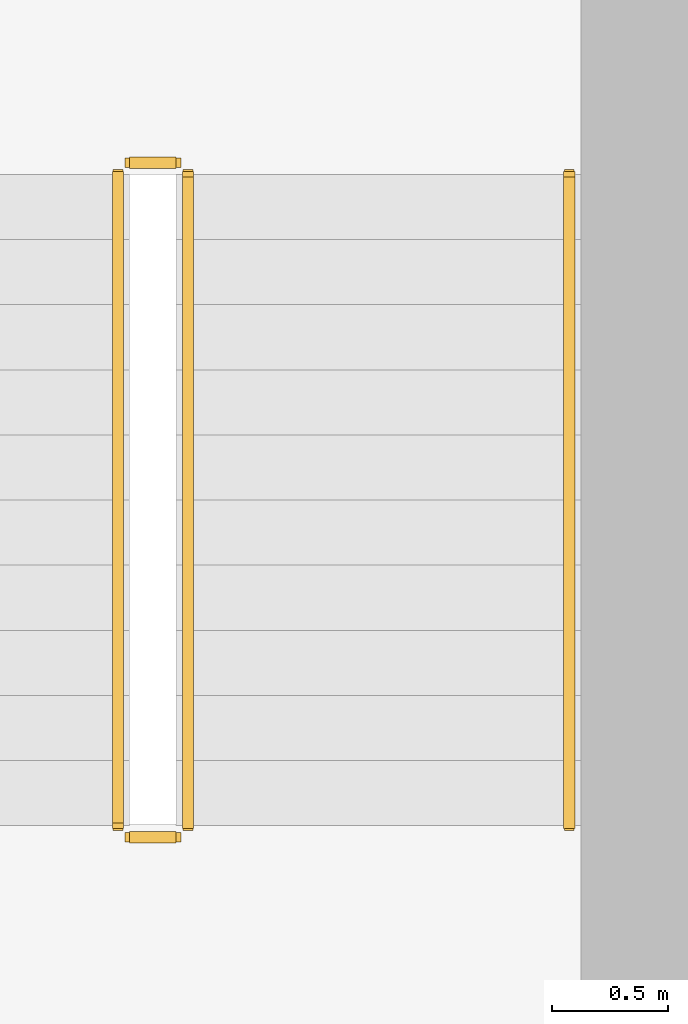
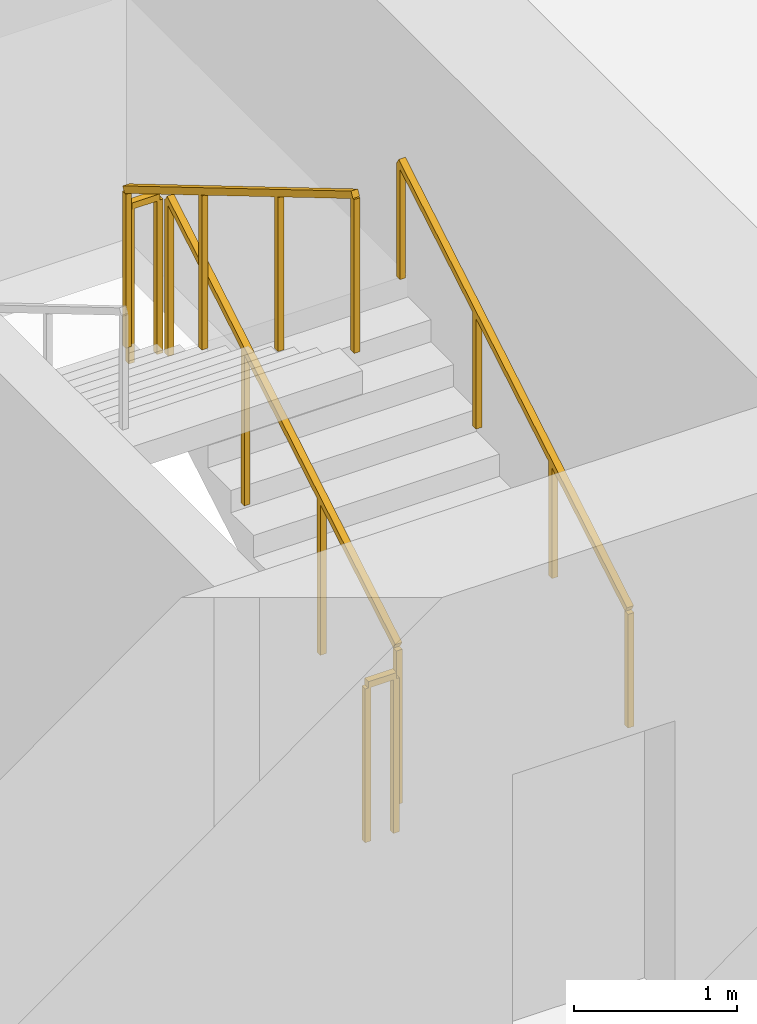
# One storey, part 15 of 15: 5 railings.
"""IFC4 building model written with IfcOpenShell, lengths in metres."""

from ifc_helpers import new_model, si_unit, direction, frame, origin, origin_2d, place, context, subcontext, project, spatial, rectangle, extrude, material, type_object, element, save


model = new_model("IFC4")

# Units and contexts
model_context = context("Model", 3, precision=1e-05, world=origin(), true_north=direction((0.0, 1.0)))
body_context = subcontext(model_context, "Body", "Model", "MODEL_VIEW")
ifc_project = project(units=[si_unit("LENGTHUNIT", "METRE"), si_unit("AREAUNIT", "SQUARE_METRE"), si_unit("VOLUMEUNIT", "CUBIC_METRE"), si_unit("PLANEANGLEUNIT", "RADIAN"), si_unit("MASSUNIT", "GRAM", prefix="KILO")], contexts=[model_context])

# Site, building, storey
site_placement = place(None, origin())
site = spatial("IfcSite", under=ifc_project, at=site_placement, CompositionType="ELEMENT")
building_placement = place(site_placement, origin())
building = spatial("IfcBuilding", under=site, at=building_placement, Name="Talyreon Biosciences Tower", CompositionType="ELEMENT")
storey_placement = place(building_placement, frame((0.0, 0.0, 100.550048828125)))
storey = spatial("IfcBuildingStorey", under=building, at=storey_placement, Name="L26", CompositionType="ELEMENT", Elevation=100.550048828125)

# Railings
ifc_material_1 = material(Name="Brushed stainless-steel tubular handrail", Category="steel")
railing_type_1 = type_object("IfcRailingType", Name="StairWallHandrail_900", PredefinedType="HANDRAIL", material=ifc_material_1)
railing_1_placement = place(storey_placement, frame((73.699951171875, 63.39990234375, 0.165771484375)))
element("IfcRailing", 1, at=railing_1_placement, inside=storey, type_object=railing_type_1, Name="L26 ST-2 stair handrail 1", PredefinedType="HANDRAIL", context=body_context, shape_type="SweptSolid", body=[
    extrude(rectangle(XDim=0.048095703125, YDim=0.048095703125, at=origin_2d()), frame((0.0, 0.0, 0.8759765625), z_axis=(0.0, 0.860306154799, 0.50977771628), x_axis=(-1.0, 0.0, 0.0)), (0.0, 0.0, 1.0), 3.254638671875),
    extrude(rectangle(XDim=0.0419921875, YDim=0.0419921875, at=origin_2d()), origin(), (0.0, 0.0, 1.0), 0.851806640625),
    extrude(rectangle(XDim=0.0419921875, YDim=0.0419921875, at=origin_2d()), frame((0.0, 0.933349609375, 0.552978515625)), (0.0, 0.0, 1.0), 0.851806640625),
    extrude(rectangle(XDim=0.0419921875, YDim=0.0419921875, at=origin_2d()), frame((0.0, 1.86669921875, 1.106201171875)), (0.0, 0.0, 1.0), 0.851806640625),
    extrude(rectangle(XDim=0.0419921875, YDim=0.0419921875, at=origin_2d()), frame((0.0, 2.800048828125, 1.6591796875)), (0.0, 0.0, 1.0), 0.851806640625),
])
ifc_material_2 = material(Name="Painted galvanised steel post-and-rail balustrade", Category="steel")
railing_type_2 = type_object("IfcRailingType", Name="TerraceStairGuard_1200", PredefinedType="GUARDRAIL", material=ifc_material_2)
railing_2_placement = place(storey_placement, frame((72.06005859375, 63.39990234375, 0.165771484375)))
element("IfcRailing", 2, at=railing_2_placement, inside=storey, type_object=railing_type_2, Name="L26 ST-2 stair guard 1", PredefinedType="GUARDRAIL", context=body_context, shape_type="SweptSolid", body=[
    extrude(rectangle(XDim=0.048095703125, YDim=0.048095703125, at=origin_2d()), frame((0.0, 0.0, 1.17578125), z_axis=(0.0, 0.860306154799, 0.50977771628), x_axis=(-1.0, 0.0, 0.0)), (0.0, 0.0, 1.0), 3.254638671875),
    extrude(rectangle(XDim=0.0419921875, YDim=0.0419921875, at=origin_2d()), origin(), (0.0, 0.0, 1.0), 1.15185546875),
    extrude(rectangle(XDim=0.0419921875, YDim=0.0419921875, at=origin_2d()), frame((0.0, 0.933349609375, 0.552978515625)), (0.0, 0.0, 1.0), 1.15185546875),
    extrude(rectangle(XDim=0.0419921875, YDim=0.0419921875, at=origin_2d()), frame((0.0, 1.86669921875, 1.106201171875)), (0.0, 0.0, 1.0), 1.15185546875),
    extrude(rectangle(XDim=0.0419921875, YDim=0.0419921875, at=origin_2d()), frame((0.0, 2.800048828125, 1.6591796875)), (0.0, 0.0, 1.0), 1.15185546875),
])
railing_3_placement = place(storey_placement, frame((72.010009765625, 66.25, 1.824951171875)))
element("IfcRailing", 3, at=railing_3_placement, inside=storey, type_object=railing_type_2, Name="L26 ST-2 stair guard 2", PredefinedType="GUARDRAIL", context=body_context, shape_type="SweptSolid", body=[
    extrude(rectangle(XDim=0.048095703125, YDim=0.048095703125, at=origin_2d()), frame((0.0, 0.0, 1.17578125), z_axis=(-1.0, 0.0, 0.0), x_axis=(0.0, -1.0, 0.0)), (0.0, 0.0, 1.0), 0.199951171875),
    extrude(rectangle(XDim=0.0419921875, YDim=0.0419921875, at=origin_2d()), origin(), (0.0, 0.0, 1.0), 1.15185546875),
    extrude(rectangle(XDim=0.0419921875, YDim=0.0419921875, at=origin_2d()), frame((-0.199951171875, 0.0, 0.0)), (0.0, 0.0, 1.0), 1.15185546875),
])
railing_4_placement = place(storey_placement, frame((71.760009765625, 66.199951171875, 1.990966796875)))
element("IfcRailing", 4, at=railing_4_placement, inside=storey, type_object=railing_type_2, Name="L26 ST-2 stair guard 3", PredefinedType="GUARDRAIL", context=body_context, shape_type="SweptSolid", body=[
    extrude(rectangle(XDim=0.048095703125, YDim=0.048095703125, at=origin_2d()), frame((0.0, 0.0, 1.17578125), z_axis=(0.0, -0.860339051648, 0.50972219513), x_axis=(1.0, 0.0, 0.0)), (0.0, 0.0, 1.0), 3.254638671875),
    extrude(rectangle(XDim=0.0419921875, YDim=0.0419921875, at=origin_2d()), origin(), (0.0, 0.0, 1.0), 1.15185546875),
    extrude(rectangle(XDim=0.0419921875, YDim=0.0419921875, at=origin_2d()), frame((0.0, -0.933349609375, 0.552978515625)), (0.0, 0.0, 1.0), 1.15185546875),
    extrude(rectangle(XDim=0.0419921875, YDim=0.0419921875, at=origin_2d()), frame((0.0, -1.86669921875, 1.10595703125)), (0.0, 0.0, 1.0), 1.15185546875),
    extrude(rectangle(XDim=0.0419921875, YDim=0.0419921875, at=origin_2d()), frame((0.0, -2.800048828125, 1.658935546875)), (0.0, 0.0, 1.0), 1.15185546875),
])
railing_5_placement = place(storey_placement, frame((72.010009765625, 63.35009765625, 0.0)))
element("IfcRailing", 5, at=railing_5_placement, inside=storey, type_object=railing_type_2, Name="L26 ST-2 stair guard 4", PredefinedType="GUARDRAIL", context=body_context, shape_type="SweptSolid", body=[
    extrude(rectangle(XDim=0.048095703125, YDim=0.048095703125, at=origin_2d()), frame((0.0, 0.0, 1.17578125), z_axis=(-1.0, 0.0, 0.0), x_axis=(0.0, -1.0, 0.0)), (0.0, 0.0, 1.0), 0.199951171875),
    extrude(rectangle(XDim=0.0419921875, YDim=0.0419921875, at=origin_2d()), origin(), (0.0, 0.0, 1.0), 1.15185546875),
    extrude(rectangle(XDim=0.0419921875, YDim=0.0419921875, at=origin_2d()), frame((-0.199951171875, 0.0, 0.0)), (0.0, 0.0, 1.0), 1.15185546875),
])

save(model, "model.ifc")
